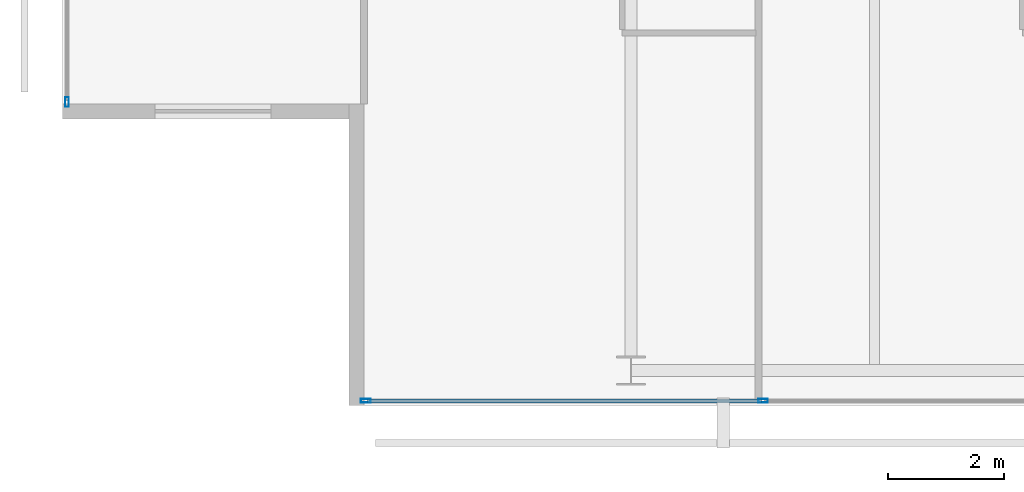
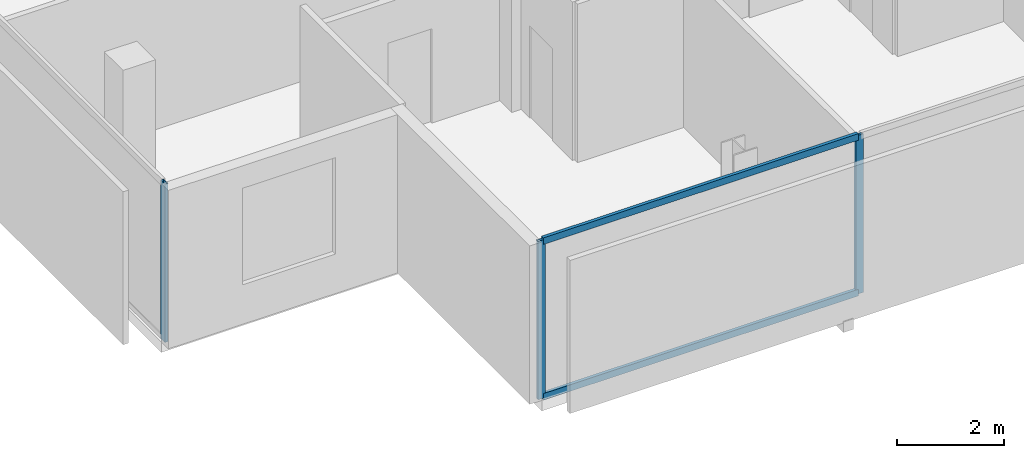
# One storey, part 2 of 25: 5 members, 2 elements without a shape of their own.
"""IFC4 building model written with IfcOpenShell, lengths in metres."""

from ifc_helpers import new_model, si_unit, direction, frame, origin, origin_2d, place, context, subcontext, project, spatial, hollow_rectangle, extrude, material, layer, layer_set, material_profile, profile_set, type_object, element, aggregate, save


model = new_model("IFC4")

# Units and contexts
model_context = context("Model", 3, precision=1e-05, world=origin(), true_north=direction((0.0, 1.0)))
body_context = subcontext(model_context, "Body", "Model", "MODEL_VIEW")
ifc_project = project(units=[si_unit("LENGTHUNIT", "METRE"), si_unit("AREAUNIT", "SQUARE_METRE"), si_unit("VOLUMEUNIT", "CUBIC_METRE"), si_unit("PLANEANGLEUNIT", "RADIAN"), si_unit("MASSUNIT", "GRAM", prefix="KILO")], contexts=[model_context])

# Site, building, storey
site_placement = place(None, origin())
site = spatial("IfcSite", under=ifc_project, at=site_placement, CompositionType="ELEMENT")
building_placement = place(site_placement, origin())
building = spatial("IfcBuilding", under=site, at=building_placement, Name="Maruvema Waterfront Hotel and Observation Tower", CompositionType="ELEMENT")
storey_placement = place(building_placement, frame((0.0, 0.0, 270.199951171875)))
storey = spatial("IfcBuildingStorey", under=building, at=storey_placement, Name="L66", CompositionType="ELEMENT", Elevation=270.199951171875)

# Curtain wall, members
ifc_material_1 = material(Name="Anodised bronze aluminium and solar-control low-E IGU", Category="aluminium")
ifc_layer = layer(ifc_material_1, 0.159912109375, Name="Zone 3 Champagne Inner Thermal Curtain Wall System CW-04")
ifc_layer_set = layer_set([ifc_layer], Name="Anodised bronze aluminium and solar-control low-E IGU")
curtain_wall_type = type_object("IfcCurtainWallType", Name="Zone 3 Champagne Inner Thermal Curtain Wall System CW-04", PredefinedType="USERDEFINED", material=ifc_layer_set)
curtain_wall_1_placement = place(storey_placement, origin())
curtain_wall_1 = element("IfcCurtainWall", 1, at=curtain_wall_1_placement, inside=storey, type_object=curtain_wall_type, Name="L66 Curtain Wall CW-L66-S", ObjectType="UNITISED CURTAIN WALL", PredefinedType="USERDEFINED")
ifc_material_2 = material(Name="Anodised architectural bronze aluminium", Category="aluminium")
ifc_material_profile_1 = material_profile(ifc_material_2, hollow_rectangle(XDim=0.070068359375, YDim=0.14990234375, WallThickness=0.00390625, at=origin_2d()), Name="ALU-T70x150")
ifc_profile_set_1 = profile_set([ifc_material_profile_1], Name="Anodised architectural bronze aluminium")
member_type_1 = type_object("IfcMemberType", Name="Curtain Wall Horizontal Transom ALU-T70x150", PredefinedType="USERDEFINED", material=ifc_profile_set_1)
member_1_placement = place(storey_placement, frame((20.659912109375, 9.280029296875, 0.030029296875), z_axis=(1.0, 0.0, 0.0), x_axis=(0.0, 1.0, 0.0)))
member_1 = element("IfcMember", 2, at=member_1_placement, type_object=member_type_1, Name="CW-04 transom 1.1", ObjectType="TRANSOM", PredefinedType="USERDEFINED", context=body_context, shape_type="SweptSolid", body=[
    extrude(hollow_rectangle(XDim=0.070068359375, YDim=0.14990234375, WallThickness=0.00390625, at=origin_2d()), origin(), (0.0, 0.0, 1.0), 6.7900390625),
])
member_2_placement = place(storey_placement, frame((20.659912109375, 9.280029296875, 3.580078125), z_axis=(1.0, 0.0, 0.0), x_axis=(0.0, 1.0, 0.0)))
member_2 = element("IfcMember", 3, at=member_2_placement, type_object=member_type_1, Name="CW-04 transom 1.2", ObjectType="TRANSOM", PredefinedType="USERDEFINED", context=body_context, shape_type="SweptSolid", body=[
    extrude(hollow_rectangle(XDim=0.070068359375, YDim=0.14990234375, WallThickness=0.00390625, at=origin_2d()), origin(), (0.0, 0.0, 1.0), 6.7900390625),
])
ifc_material_3 = material(Name="Anodised architectural bronze aluminium", Category="aluminium")
ifc_material_profile_2 = material_profile(ifc_material_3, hollow_rectangle(XDim=0.06494140625, YDim=0.1650390625, WallThickness=0.00390625, at=origin_2d()), Name="ALU-M65x165")
ifc_profile_set_2 = profile_set([ifc_material_profile_2], Name="Anodised architectural bronze aluminium")
member_type_2 = type_object("IfcMemberType", Name="Curtain Wall Primary Mullion ALU-M65x165", PredefinedType="MULLION", material=ifc_profile_set_2)
member_3_placement = place(storey_placement, frame((20.6298828125, 9.280029296875, 0.0), z_axis=(0.0, 0.0, 1.0), x_axis=(0.0, 1.0, 0.0)))
member_3 = element("IfcMember", 4, at=member_3_placement, type_object=member_type_2, Name="CW-04 mullion 1", PredefinedType="MULLION", context=body_context, shape_type="SweptSolid", body=[
    extrude(hollow_rectangle(XDim=0.06494140625, YDim=0.1650390625, WallThickness=0.00390625, at=origin_2d()), origin(), (0.0, 0.0, 1.0), 3.610107421875),
])
member_4_placement = place(storey_placement, frame((27.47998046875, 9.280029296875, 0.0), z_axis=(0.0, 0.0, 1.0), x_axis=(0.0, 1.0, 0.0)))
member_4 = element("IfcMember", 5, at=member_4_placement, type_object=member_type_2, Name="CW-04 mullion 2", PredefinedType="MULLION", context=body_context, shape_type="SweptSolid", body=[
    extrude(hollow_rectangle(XDim=0.06494140625, YDim=0.1650390625, WallThickness=0.00390625, at=origin_2d()), origin(), (0.0, 0.0, 1.0), 3.610107421875),
])
aggregate(curtain_wall_1, [member_3, member_4, member_1, member_2])

# Curtain wall, member
curtain_wall_2_placement = place(storey_placement, origin())
curtain_wall_2 = element("IfcCurtainWall", 6, at=curtain_wall_2_placement, inside=storey, type_object=curtain_wall_type, Name="L66 Curtain Wall CW-L66-W", ObjectType="UNITISED CURTAIN WALL", PredefinedType="USERDEFINED")
member_5_placement = place(storey_placement, frame((15.47998046875, 14.429931640625, 0.0), z_axis=(0.0, 0.0, 1.0), x_axis=(1.0, 0.0, 0.0)))
member_5 = element("IfcMember", 7, at=member_5_placement, type_object=member_type_2, Name="CW-04 mullion 6", PredefinedType="MULLION", context=body_context, shape_type="SweptSolid", body=[
    extrude(hollow_rectangle(XDim=0.06494140625, YDim=0.1650390625, WallThickness=0.00390625, at=origin_2d()), origin(), (0.0, 0.0, 1.0), 3.610107421875),
])
aggregate(curtain_wall_2, [member_5])

save(model, "model.ifc")
